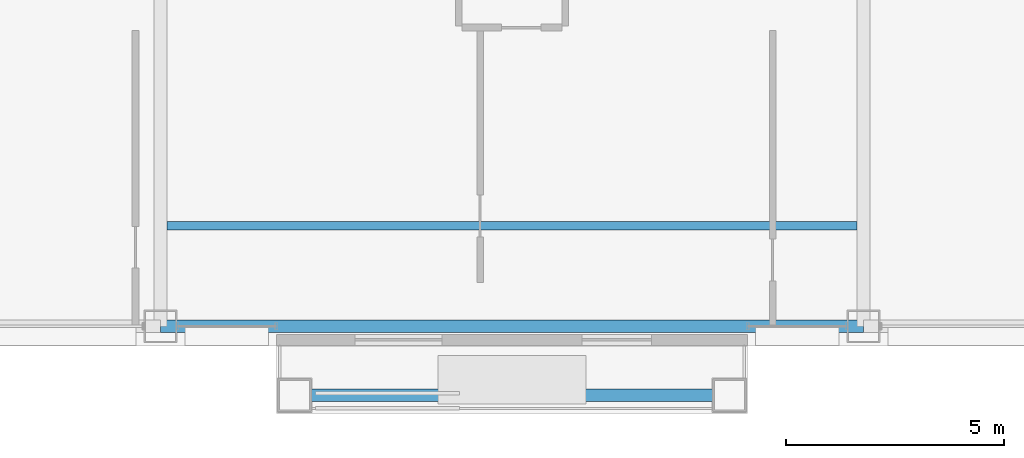
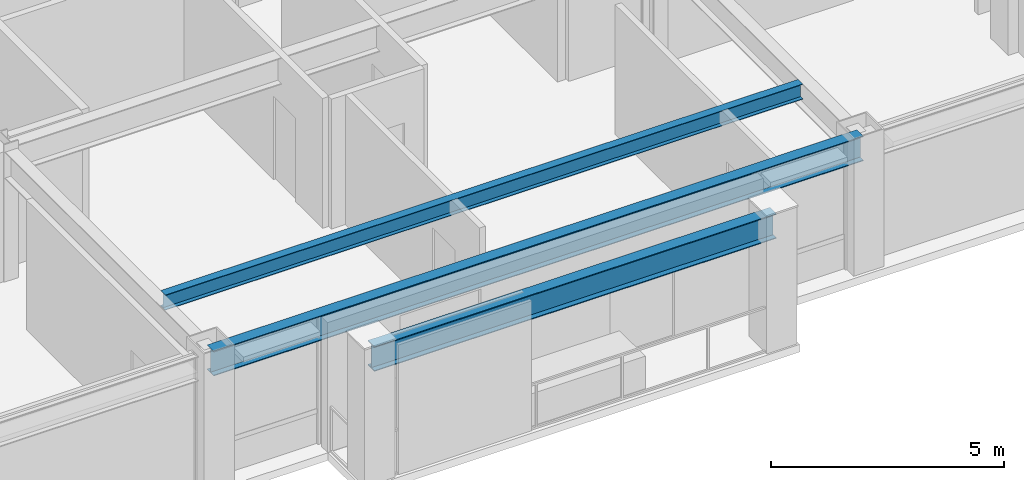
# One storey, part 6 of 27: 3 beams.
"""IFC4 building model written with IfcOpenShell, lengths in metres."""

from ifc_helpers import new_model, si_unit, direction, frame, origin, origin_2d, place, context, subcontext, project, spatial, i_section, extrude, material, material_profile, profile_set, type_object, element, save


model = new_model("IFC4")

# Units and contexts
model_context = context("Model", 3, precision=1e-05, world=origin(), true_north=direction((0.0, 1.0)))
body_context = subcontext(model_context, "Body", "Model", "MODEL_VIEW")
ifc_project = project(units=[si_unit("LENGTHUNIT", "METRE"), si_unit("AREAUNIT", "SQUARE_METRE"), si_unit("VOLUMEUNIT", "CUBIC_METRE"), si_unit("PLANEANGLEUNIT", "RADIAN"), si_unit("MASSUNIT", "GRAM", prefix="KILO")], contexts=[model_context])

# Site, building, storey
site_placement = place(None, origin())
site = spatial("IfcSite", under=ifc_project, at=site_placement, CompositionType="ELEMENT")
building_placement = place(site_placement, origin())
building = spatial("IfcBuilding", under=site, at=building_placement, Name="Brelmoor Portico Tower", CompositionType="ELEMENT")
storey_placement = place(building_placement, frame((0.0, 0.0, 158.699951171875)))
storey = spatial("IfcBuildingStorey", under=building, at=storey_placement, Name="L41", CompositionType="ELEMENT", Elevation=158.699951171875)

# Beams
ifc_material = material(Name="Steel Q355B", Category="steel")
ifc_material_profile_1 = material_profile(ifc_material, i_section(OverallWidth=0.199951171875, OverallDepth=0.39990234375, WebThickness=0.008056640625, FlangeThickness=0.012939453125, at=origin_2d()), Name="HN 400x200x8x13")
ifc_profile_set_1 = profile_set([ifc_material_profile_1], Name="Steel Q355B")
beam_type_1 = type_object("IfcBeamType", Name="BM-JS-400", PredefinedType="JOIST", material=ifc_profile_set_1)
beam_1_placement = place(storey_placement, frame((-7.89990234375, -16.25, 3.199951171875), z_axis=(1.0, 0.0, 0.0), x_axis=(0.0, 1.0, 0.0)))
element("IfcBeam", 1, at=beam_1_placement, inside=storey, type_object=beam_type_1, Name="L41 Secondary Composite Joist JS-C01", PredefinedType="JOIST", context=body_context, shape_type="SweptSolid", body=[
    extrude(i_section(OverallWidth=0.199951171875, OverallDepth=0.39990234375, WebThickness=0.008056640625, FlangeThickness=0.012939453125, at=origin_2d()), origin(), (0.0, 0.0, 1.0), 15.7998046875),
])
ifc_material_profile_2 = material_profile(ifc_material, i_section(OverallWidth=0.280029296875, OverallDepth=0.64990234375, WebThickness=0.012939453125, FlangeThickness=0.02197265625, at=origin_2d()), Name="HN 650x280x13x22")
ifc_profile_set_2 = profile_set([ifc_material_profile_2], Name="Steel Q355B")
beam_type_2 = type_object("IfcBeamType", Name="BM-SP-650", PredefinedType="SPANDREL", material=ifc_profile_set_2)
beam_2_placement = place(storey_placement, frame((-8.050048828125, -18.550048828125, 3.074951171875), z_axis=(1.0, 0.0, 0.0), x_axis=(0.0, 1.0, 0.0)))
element("IfcBeam", 2, at=beam_2_placement, inside=storey, type_object=beam_type_2, Name="L41 Perimeter Spandrel Beam SP-02", PredefinedType="SPANDREL", context=body_context, shape_type="SweptSolid", body=[
    extrude(i_section(OverallWidth=0.280029296875, OverallDepth=0.64990234375, WebThickness=0.012939453125, FlangeThickness=0.02197265625, at=origin_2d()), origin(), (0.0, 0.0, 1.0), 16.10009765625),
])
beam_3_placement = place(storey_placement, frame((-4.97998046875, -20.1298828125, 3.074951171875), z_axis=(1.0, 0.0, 0.0), x_axis=(0.0, 1.0, 0.0)))
element("IfcBeam", 3, at=beam_3_placement, inside=storey, type_object=beam_type_2, Name="L41 Picture-Frame Perimeter Lintel Beam S1", PredefinedType="SPANDREL", context=body_context, shape_type="SweptSolid", body=[
    extrude(i_section(OverallWidth=0.280029296875, OverallDepth=0.64990234375, WebThickness=0.012939453125, FlangeThickness=0.02197265625, at=origin_2d()), origin(), (0.0, 0.0, 1.0), 9.9599609375),
])

save(model, "model.ifc")
